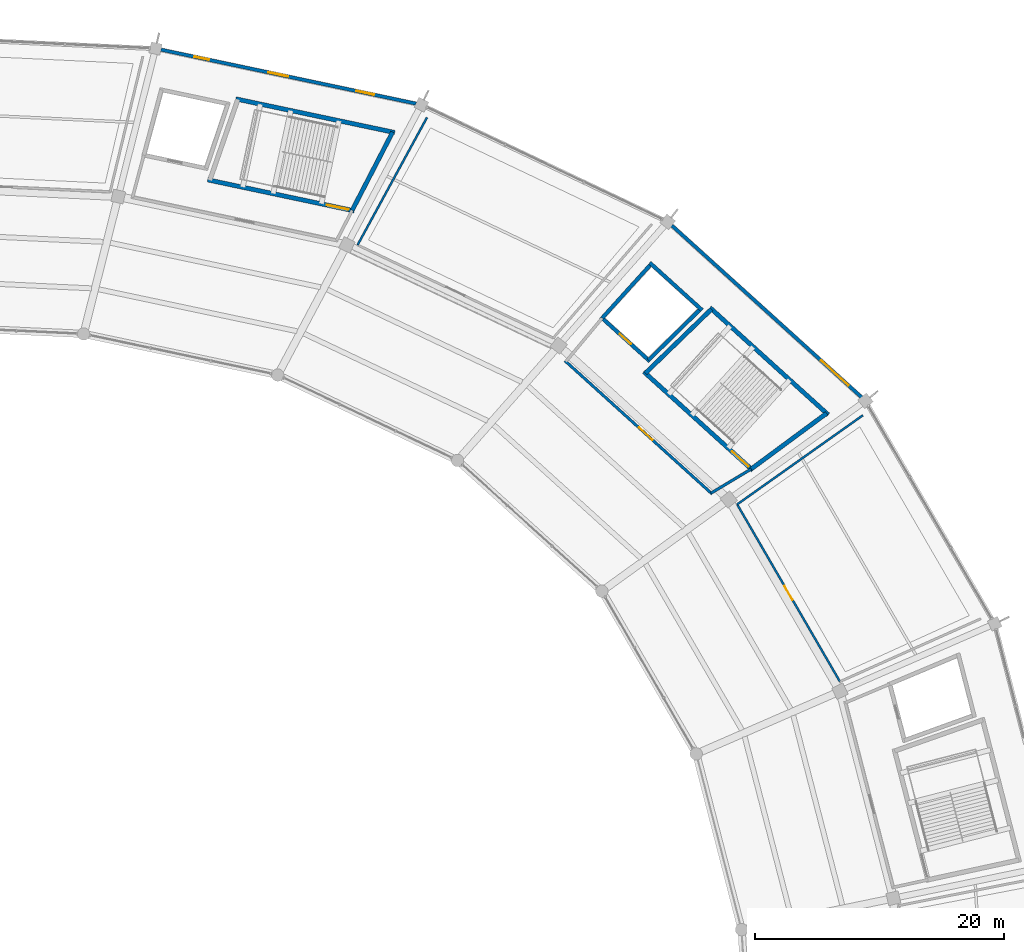
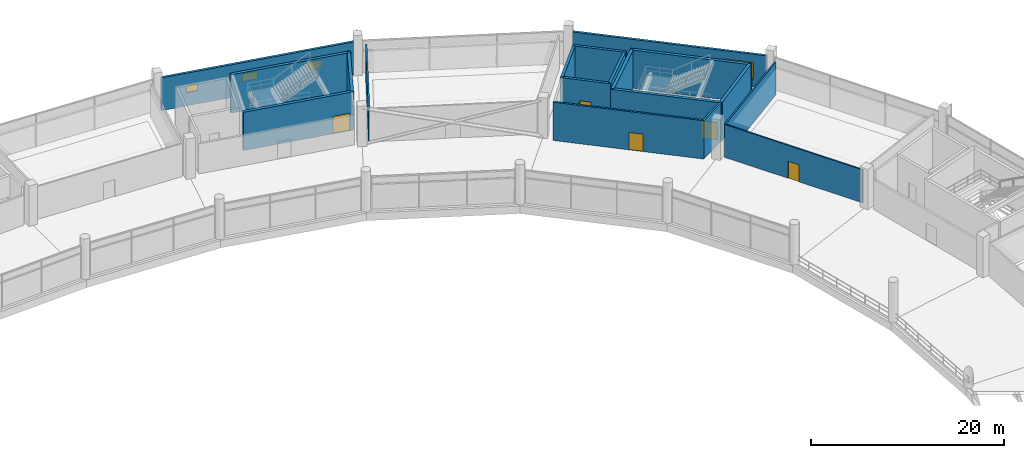
# One storey, part 152 of 184: 18 walls, 5 doors, 4 windows, 9 openings.
"""IFC4 building model written with IfcOpenShell, lengths in metres."""

from ifc_helpers import new_model, si_unit, direction, frame, frame_2d, origin, place, context, subcontext, project, spatial, rectangle, extrude, material, layer, layer_set, type_object, element, fill, save


model = new_model("IFC4")

# Units and contexts
model_context = context("Model", 3, precision=1e-05, world=origin(), true_north=direction((0.0, 1.0)))
body_context = subcontext(model_context, "Body", "Model", "MODEL_VIEW")
ifc_project = project(units=[si_unit("LENGTHUNIT", "METRE"), si_unit("AREAUNIT", "SQUARE_METRE"), si_unit("VOLUMEUNIT", "CUBIC_METRE"), si_unit("PLANEANGLEUNIT", "RADIAN"), si_unit("MASSUNIT", "GRAM", prefix="KILO")], contexts=[model_context])

# Site, building, storey
site_placement = place(None, origin())
site = spatial("IfcSite", under=ifc_project, at=site_placement, CompositionType="ELEMENT")
building_placement = place(site_placement, origin())
building = spatial("IfcBuilding", under=site, at=building_placement, Name="Kazemori Nagisa Stadium", CompositionType="ELEMENT")
storey_placement = place(building_placement, frame((0.0, 0.0, 10.5400390625)))
storey = spatial("IfcBuildingStorey", under=building, at=storey_placement, Name="L02", CompositionType="ELEMENT", Elevation=10.5400390625)

# Wall, opening, door
ifc_material_1 = material(Name="Concrete C40/50 (Fc42)", Category="concrete")
ifc_layer_1 = layer(ifc_material_1, 0.35009765625, Name="Concrete C40/50 (Fc42)", Category="concrete")
ifc_layer_set_1 = layer_set([ifc_layer_1], Name="Concrete C40/50 (Fc42)")
wall_type_1 = type_object("IfcWallType", Name="Wall_W-CORE-350", PredefinedType="SHEAR", material=ifc_layer_set_1)
wall_1_placement = place(storey_placement, frame((192.438720703125, 153.072021484375, 0.0), z_axis=(0.0, 0.0, 1.0), x_axis=(-0.741358227035, 0.671109513572, 0.0)))
wall_1 = element("IfcWall", 1, at=wall_1_placement, inside=storey, type_object=wall_type_1, Name="Core stair front shear wall ST01 L02", PredefinedType="SHEAR", context=body_context, shape_type="SweptSolid", body=[
    extrude(rectangle(XDim=11.82666015625, YDim=0.35009765625, at=frame_2d((5.913330078125, 0.0))), origin(), (0.0, 0.0, 1.0), 4.83984375),
])
opening_1_placement = place(wall_1_placement, frame((0.47509765625, 0.0, 0.0)))
opening_1 = element("IfcOpeningElement", 2, at=opening_1_placement, cuts=wall_1, Name="Opening D-ST-1800", PredefinedType="OPENING", context=body_context, shape_type="SweptSolid", body=[
    extrude(rectangle(XDim=1.800048828125, YDim=2.199951171875, at=frame_2d((0.89990234375, 1.10009765625))), frame((0.0, 0.18505859375, 0.0), z_axis=(0.0, -1.0, 0.0), x_axis=(1.0, 0.0, 0.0)), (0.0, 0.0, 1.0), 0.3701171875),
])
ifc_material_2 = material(Name="Galvanised steel sheet", Category="steel")
door_type_1 = type_object("IfcDoorType", Name="Door_D-ST-1800", OperationType="NOTDEFINED", PredefinedType="DOOR", material=ifc_material_2)
door_1_placement = place(opening_1_placement, frame((1.800048828125, 0.0, 0.0), z_axis=(0.0, 0.0, 1.0), x_axis=(-1.0, 0.0, 0.0)))
door_1 = element("IfcDoor", 3, at=door_1_placement, inside=storey, type_object=door_type_1, Name="Exit stair fire door ST01-L02", OperationType="SINGLE_SWING_RIGHT", OverallHeight=2.199951171875, OverallWidth=1.800048828125, PredefinedType="DOOR", context=body_context, shape_type="SweptSolid", body=[
    extrude(rectangle(XDim=1.800048828125, YDim=2.199951171875, at=frame_2d((0.89990234375, 1.10009765625))), frame((0.0, 0.02490234375, 0.0), z_axis=(0.0, -1.0, 0.0), x_axis=(1.0, 0.0, 0.0)), (0.0, 0.0, 1.0), 0.050048828125),
])
fill(opening_1, door_1)

# Walls
wall_2_placement = place(storey_placement, frame((198.499267578125, 157.548095703125, 0.0), z_axis=(0.0, 0.0, 1.0), x_axis=(-0.741351373721, 0.671117084183, 0.0)))
element("IfcWall", 4, at=wall_2_placement, inside=storey, type_object=wall_type_1, Name="Core stair rear shear wall ST01 L02", PredefinedType="SHEAR", context=body_context, shape_type="SweptSolid", body=[
    extrude(rectangle(XDim=12.830322265625, YDim=0.35009765625, at=frame_2d((6.4150390625, 0.0))), origin(), (0.0, 0.0, 1.0), 4.83984375),
])
wall_3_placement = place(storey_placement, frame((192.308837890625, 153.189453125, 0.0), z_axis=(0.0, 0.0, 1.0), x_axis=(0.804395625347, 0.594093997548, 0.0)))
element("IfcWall", 5, at=wall_3_placement, inside=storey, type_object=wall_type_1, Name="Core stair left shear wall ST01 L02", PredefinedType="SHEAR", context=body_context, shape_type="SweptSolid", body=[
    extrude(rectangle(XDim=7.5341796875, YDim=0.35009765625, at=frame_2d((3.76708984375, 0.0))), origin(), (0.0, 0.0, 1.0), 4.83984375),
])
wall_4_placement = place(storey_placement, frame((183.800537109375, 160.8916015625, 0.0), z_axis=(0.0, 0.0, 1.0), x_axis=(0.718297398554, 0.69573619083, 0.0)))
element("IfcWall", 6, at=wall_4_placement, inside=storey, type_object=wall_type_1, Name="Core stair right shear wall ST01 L02", PredefinedType="SHEAR", context=body_context, shape_type="SweptSolid", body=[
    extrude(rectangle(XDim=7.40185546875, YDim=0.35009765625, at=frame_2d((3.700927734375, 0.0))), origin(), (0.0, 0.0, 1.0), 4.83984375),
])

# Wall, opening, door
wall_5_placement = place(storey_placement, frame((160.399658203125, 173.939697265625, 0.0), z_axis=(0.0, 0.0, 1.0), x_axis=(-0.978345203961, 0.206979858648, 0.0)))
wall_5 = element("IfcWall", 7, at=wall_5_placement, inside=storey, type_object=wall_type_1, Name="Core stair front shear wall ST11 L02", PredefinedType="SHEAR", context=body_context, shape_type="SweptSolid", body=[
    extrude(rectangle(XDim=12.044189453125, YDim=0.35009765625, at=frame_2d((6.02197265625, 0.0))), origin(), (0.0, 0.0, 1.0), 4.83984375),
])
opening_2_placement = place(wall_5_placement, frame((0.47509765625, 0.0, 0.0)))
opening_2 = element("IfcOpeningElement", 8, at=opening_2_placement, cuts=wall_5, Name="Opening D-ST-1800", PredefinedType="OPENING", context=body_context, shape_type="SweptSolid", body=[
    extrude(rectangle(XDim=1.800048828125, YDim=2.199951171875, at=frame_2d((0.89990234375, 1.10009765625))), frame((0.0, 0.18505859375, 0.0), z_axis=(0.0, -1.0, 0.0), x_axis=(1.0, 0.0, 0.0)), (0.0, 0.0, 1.0), 0.3701171875),
])
door_2_placement = place(opening_2_placement, frame((1.800048828125, 0.0, 0.0), z_axis=(0.0, 0.0, 1.0), x_axis=(-1.0, 0.0, 0.0)))
door_2 = element("IfcDoor", 9, at=door_2_placement, inside=storey, type_object=door_type_1, Name="Exit stair fire door ST11-L02", OperationType="SINGLE_SWING_RIGHT", OverallHeight=2.199951171875, OverallWidth=1.800048828125, PredefinedType="DOOR", context=body_context, shape_type="SweptSolid", body=[
    extrude(rectangle(XDim=1.800048828125, YDim=2.199951171875, at=frame_2d((0.89990234375, 1.10009765625))), frame((0.0, 0.02490234375, 0.0), z_axis=(0.0, -1.0, 0.0), x_axis=(1.0, 0.0, 0.0)), (0.0, 0.0, 1.0), 0.050048828125),
])
fill(opening_2, door_2)

# Walls
wall_6_placement = place(storey_placement, frame((163.655029296875, 180.2333984375, 0.0), z_axis=(0.0, 0.0, 1.0), x_axis=(-0.978345119536, 0.206980257705, 0.0)))
element("IfcWall", 10, at=wall_6_placement, inside=storey, type_object=wall_type_1, Name="Core stair rear shear wall ST11 L02", PredefinedType="SHEAR", context=body_context, shape_type="SweptSolid", body=[
    extrude(rectangle(XDim=13.06689453125, YDim=0.35009765625, at=frame_2d((6.533447265625, 0.0))), origin(), (0.0, 0.0, 1.0), 4.83984375),
])
wall_7_placement = place(storey_placement, frame((160.228515625, 173.975830078125, 0.0), z_axis=(0.0, 0.0, 1.0), x_axis=(0.459409796564, 0.888224430435, 0.0)))
element("IfcWall", 11, at=wall_7_placement, inside=storey, type_object=wall_type_1, Name="Core stair left shear wall ST11 L02", PredefinedType="SHEAR", context=body_context, shape_type="SweptSolid", body=[
    extrude(rectangle(XDim=7.0859375, YDim=0.35009765625, at=frame_2d((3.54296875, 0.0))), origin(), (0.0, 0.0, 1.0), 4.83984375),
])

# Wall, opening, window
ifc_material_3 = material(Name="Concrete C40/50 (Fc42) precast", Category="concrete")
ifc_layer_2 = layer(ifc_material_3, 0.27490234375, Name="Concrete C40/50 (Fc42) precast", Category="concrete")
ifc_layer_set_2 = layer_set([ifc_layer_2], Name="Concrete C40/50 (Fc42) precast")
wall_type_2 = type_object("IfcWallType", Name="Wall_W-EXT-275", PredefinedType="SOLIDWALL", material=ifc_layer_set_2)
wall_8_placement = place(storey_placement, frame((201.169189453125, 158.962890625, 0.0), z_axis=(0.0, 0.0, 1.0), x_axis=(-0.741352367697, 0.671115986183, 0.0)))
wall_8 = element("IfcWall", 12, at=wall_8_placement, inside=storey, type_object=wall_type_2, Name="Exterior facade wall L02-04", PredefinedType="SOLIDWALL", context=body_context, shape_type="SweptSolid", body=[
    extrude(rectangle(XDim=20.56396484375, YDim=0.27490234375, at=frame_2d((10.281982421875, 0.0))), origin(), (0.0, 0.0, 1.0), 4.137939453125),
])
opening_3_placement = place(wall_8_placement, frame((1.39990234375, 0.0, 1.0)))
opening_3 = element("IfcOpeningElement", 13, at=opening_3_placement, cuts=wall_8, Name="Opening WIN-L02-3000", PredefinedType="OPENING", context=body_context, shape_type="SweptSolid", body=[
    extrude(rectangle(XDim=3.0, YDim=2.10009765625, at=frame_2d((1.5, 1.050048828125))), frame((0.0, 0.1474609375, 0.0), z_axis=(0.0, -1.0, 0.0), x_axis=(1.0, 0.0, 0.0)), (0.0, 0.0, 1.0), 0.294921875),
])
ifc_material_4 = material(Name="Low-e laminated double glazing", Category="glass")
window_type_1 = type_object("IfcWindowType", Name="Window_WIN-L02-3000", PartitioningType="SINGLE_PANEL", PredefinedType="WINDOW", material=ifc_material_4)
window_1_placement = place(opening_3_placement, origin())
window_1 = element("IfcWindow", 14, at=window_1_placement, inside=storey, type_object=window_type_1, Name="Core lobby window L02-04", OverallHeight=2.10009765625, OverallWidth=3.0, PartitioningType="SINGLE_PANEL", PredefinedType="WINDOW", context=body_context, shape_type="SweptSolid", body=[
    extrude(rectangle(XDim=3.0, YDim=2.10009765625, at=frame_2d((1.5, 1.050048828125))), frame((0.0, 0.030029296875, 0.0), z_axis=(0.0, -1.0, 0.0), x_axis=(1.0, 0.0, 0.0)), (0.0, 0.0, 1.0), 0.06005859375),
])
fill(opening_3, window_1)

# Wall, openings, windows
wall_9_placement = place(storey_placement, frame((165.374267578125, 182.555419921875, 0.0), z_axis=(0.0, 0.0, 1.0), x_axis=(-0.978345985679, 0.206976163617, 0.0)))
wall_9 = element("IfcWall", 15, at=wall_9_placement, inside=storey, type_object=wall_type_2, Name="Exterior facade wall L02-06", PredefinedType="SOLIDWALL", context=body_context, shape_type="SweptSolid", body=[
    extrude(rectangle(XDim=20.97021484375, YDim=0.27490234375, at=frame_2d((10.485107421875, 0.0))), origin(), (0.0, 0.0, 1.0), 4.137939453125),
])
opening_4_placement = place(wall_9_placement, frame((3.468994140625, 0.0, 1.64990234375)))
opening_4 = element("IfcOpeningElement", 16, at=opening_4_placement, cuts=wall_9, Name="Opening WIN-WC-1450", PredefinedType="OPENING", context=body_context, shape_type="SweptSolid", body=[
    extrude(rectangle(XDim=1.449951171875, YDim=0.949951171875, at=frame_2d((0.72509765625, 0.47509765625))), frame((0.0, 0.1474609375, 0.0), z_axis=(0.0, -1.0, 0.0), x_axis=(1.0, 0.0, 0.0)), (0.0, 0.0, 1.0), 0.294921875),
])
opening_5_placement = place(wall_9_placement, frame((10.4990234375, 0.0, 1.64990234375)))
opening_5 = element("IfcOpeningElement", 17, at=opening_5_placement, cuts=wall_9, Name="Opening WIN-WC-1650", PredefinedType="OPENING", context=body_context, shape_type="SweptSolid", body=[
    extrude(rectangle(XDim=1.64990234375, YDim=1.0, at=frame_2d((0.824951171875, 0.5))), frame((0.0, 0.1474609375, 0.0), z_axis=(0.0, -1.0, 0.0), x_axis=(1.0, 0.0, 0.0)), (0.0, 0.0, 1.0), 0.294921875),
])
opening_6_placement = place(wall_9_placement, frame((17.014892578125, 0.0, 1.64990234375)))
opening_6 = element("IfcOpeningElement", 18, at=opening_6_placement, cuts=wall_9, Name="Opening WIN-WC-1200", PredefinedType="OPENING", context=body_context, shape_type="SweptSolid", body=[
    extrude(rectangle(XDim=1.199951171875, YDim=0.89990234375, at=frame_2d((0.60009765625, 0.449951171875))), frame((0.0, 0.1474609375, 0.0), z_axis=(0.0, -1.0, 0.0), x_axis=(1.0, 0.0, 0.0)), (0.0, 0.0, 1.0), 0.294921875),
])
window_type_2 = type_object("IfcWindowType", Name="Window_WIN-WC-1200", PartitioningType="SINGLE_PANEL", PredefinedType="WINDOW", material=ifc_material_4)
window_2_placement = place(opening_6_placement, origin())
window_2 = element("IfcWindow", 19, at=window_2_placement, inside=storey, type_object=window_type_2, Name="Sanitary clerestory window L02-06-3", OverallHeight=0.89990234375, OverallWidth=1.199951171875, PartitioningType="SINGLE_PANEL", PredefinedType="WINDOW", context=body_context, shape_type="SweptSolid", body=[
    extrude(rectangle(XDim=1.199951171875, YDim=0.89990234375, at=frame_2d((0.60009765625, 0.449951171875))), frame((0.0, 0.030029296875, 0.0), z_axis=(0.0, -1.0, 0.0), x_axis=(1.0, 0.0, 0.0)), (0.0, 0.0, 1.0), 0.06005859375),
])
fill(opening_6, window_2)
window_type_3 = type_object("IfcWindowType", Name="Window_WIN-WC-1450", PartitioningType="SINGLE_PANEL", PredefinedType="WINDOW", material=ifc_material_4)
window_3_placement = place(opening_4_placement, origin())
window_3 = element("IfcWindow", 20, at=window_3_placement, inside=storey, type_object=window_type_3, Name="Sanitary clerestory window L02-06-1", OverallHeight=0.949951171875, OverallWidth=1.449951171875, PartitioningType="SINGLE_PANEL", PredefinedType="WINDOW", context=body_context, shape_type="SweptSolid", body=[
    extrude(rectangle(XDim=1.449951171875, YDim=0.949951171875, at=frame_2d((0.72509765625, 0.47509765625))), frame((0.0, 0.030029296875, 0.0), z_axis=(0.0, -1.0, 0.0), x_axis=(1.0, 0.0, 0.0)), (0.0, 0.0, 1.0), 0.06005859375),
])
fill(opening_4, window_3)
window_type_4 = type_object("IfcWindowType", Name="Window_WIN-WC-1650", PartitioningType="SINGLE_PANEL", PredefinedType="WINDOW", material=ifc_material_4)
window_4_placement = place(opening_5_placement, origin())
window_4 = element("IfcWindow", 21, at=window_4_placement, inside=storey, type_object=window_type_4, Name="Sanitary clerestory window L02-06-2", OverallHeight=1.0, OverallWidth=1.64990234375, PartitioningType="SINGLE_PANEL", PredefinedType="WINDOW", context=body_context, shape_type="SweptSolid", body=[
    extrude(rectangle(XDim=1.64990234375, YDim=1.0, at=frame_2d((0.824951171875, 0.5))), frame((0.0, 0.030029296875, 0.0), z_axis=(0.0, -1.0, 0.0), x_axis=(1.0, 0.0, 0.0)), (0.0, 0.0, 1.0), 0.06005859375),
])
fill(opening_5, window_4)

# Wall, opening, door
ifc_material_5 = material(Name="Concrete C36/45 (Fc36)", Category="concrete")
ifc_layer_3 = layer(ifc_material_5, 0.219970703125, Name="Concrete C36/45 (Fc36)", Category="concrete")
ifc_layer_set_3 = layer_set([ifc_layer_3], Name="Concrete C36/45 (Fc36)")
wall_type_3 = type_object("IfcWallType", Name="Wall_W-LOBBY-220", PredefinedType="SOLIDWALL", material=ifc_layer_set_3)
wall_10_placement = place(storey_placement, frame((189.166259765625, 151.1806640625, 0.0), z_axis=(0.0, 0.0, 1.0), x_axis=(-0.741351035574, 0.671117457717, 0.0)))
wall_10 = element("IfcWall", 22, at=wall_10_placement, inside=storey, type_object=wall_type_3, Name="Core lobby fire wall ST01 L02", PredefinedType="SOLIDWALL", context=body_context, shape_type="SweptSolid", body=[
    extrude(rectangle(XDim=15.96923828125, YDim=0.219970703125, at=frame_2d((7.984619140625, 0.0))), origin(), (0.0, 0.0, 1.0), 4.83984375),
])
opening_7_placement = place(wall_10_placement, frame((6.447021484375, 0.0, 0.0)))
opening_7 = element("IfcOpeningElement", 23, at=opening_7_placement, cuts=wall_10, Name="Opening D-FFL-1500", PredefinedType="OPENING", context=body_context, shape_type="SweptSolid", body=[
    extrude(rectangle(XDim=1.5, YDim=2.199951171875, at=frame_2d((0.75, 1.10009765625))), frame((0.0, 0.119873046875, 0.0), z_axis=(0.0, -1.0, 0.0), x_axis=(1.0, 0.0, 0.0)), (0.0, 0.0, 1.0), 0.239990234375),
])
door_type_2 = type_object("IfcDoorType", Name="Door_D-FFL-1500", OperationType="NOTDEFINED", PredefinedType="DOOR", material=ifc_material_2)
door_3_placement = place(opening_7_placement, frame((1.5, 0.0, 0.0), z_axis=(0.0, 0.0, 1.0), x_axis=(-1.0, 0.0, 0.0)))
door_3 = element("IfcDoor", 24, at=door_3_placement, inside=storey, type_object=door_type_2, Name="Protected lobby fire door ST01-L02", OperationType="DOUBLE_DOOR_SINGLE_SWING", OverallHeight=2.199951171875, OverallWidth=1.5, PredefinedType="DOOR", context=body_context, shape_type="SweptSolid", body=[
    extrude(rectangle(XDim=1.5, YDim=2.199951171875, at=frame_2d((0.75, 1.10009765625))), frame((0.0, 0.02490234375, 0.0), z_axis=(0.0, -1.0, 0.0), x_axis=(1.0, 0.0, 0.0)), (0.0, 0.0, 1.0), 0.050048828125),
])
fill(opening_7, door_3)

# Wall
wall_11_placement = place(storey_placement, frame((189.084716796875, 151.25439453125, 0.0), z_axis=(0.0, 0.0, 1.0), x_axis=(0.857424171966, 0.514610327654, 0.0)))
element("IfcWall", 25, at=wall_11_placement, inside=storey, type_object=wall_type_3, Name="Core lobby left wall ST01 L02", PredefinedType="SOLIDWALL", context=body_context, shape_type="SweptSolid", body=[
    extrude(rectangle(XDim=3.76025390625, YDim=0.219970703125, at=frame_2d((1.880126953125, 0.0))), origin(), (0.0, 0.0, 1.0), 4.83984375),
])

# Wall, opening, door
ifc_material_6 = material(Name="Gypsum plasterboard", Category="gypsum")
ifc_layer_4 = layer(ifc_material_6, 0.1650390625, Name="Gypsum plasterboard", Category="gypsum")
ifc_layer_set_4 = layer_set([ifc_layer_4], Name="Gypsum plasterboard")
wall_type_4 = type_object("IfcWallType", Name="Wall_W-PART-165", PredefinedType="PARTITIONING", material=ifc_layer_set_4)
wall_12_placement = place(storey_placement, frame((199.4375, 136.098876953125, 0.0), z_axis=(0.0, 0.0, 1.0), x_axis=(-0.501617777052, 0.865089362867, 0.0)))
wall_12 = element("IfcWall", 26, at=wall_12_placement, inside=storey, type_object=wall_type_4, Name="Room corridor partition L02-B03", PredefinedType="PARTITIONING", context=body_context, shape_type="SweptSolid", body=[
    extrude(rectangle(XDim=16.4638671875, YDim=0.1650390625, at=frame_2d((8.23193359375, 0.0))), origin(), (0.0, 0.0, 1.0), 4.159912109375),
])
opening_8_placement = place(wall_12_placement, frame((7.58203125, 0.0, 0.0)))
opening_8 = element("IfcOpeningElement", 27, at=opening_8_placement, cuts=wall_12, Name="Opening D-KIT-1300", PredefinedType="OPENING", context=body_context, shape_type="SweptSolid", body=[
    extrude(rectangle(XDim=1.300048828125, YDim=2.14990234375, at=frame_2d((0.64990234375, 1.074951171875))), frame((0.0, 0.092529296875, 0.0), z_axis=(0.0, -1.0, 0.0), x_axis=(1.0, 0.0, 0.0)), (0.0, 0.0, 1.0), 0.18505859375),
])
ifc_material_7 = material(Name="Stainless steel SUS304", Category="steel")
door_type_3 = type_object("IfcDoorType", Name="Door_D-KIT-1300", OperationType="NOTDEFINED", PredefinedType="DOOR", material=ifc_material_7)
door_4_placement = place(opening_8_placement, origin())
door_4 = element("IfcDoor", 28, at=door_4_placement, inside=storey, type_object=door_type_3, Name="Room entrance door D-KIT-1300 L02-B03", OperationType="SINGLE_SWING_LEFT", OverallHeight=2.14990234375, OverallWidth=1.300048828125, PredefinedType="DOOR", context=body_context, shape_type="SweptSolid", body=[
    extrude(rectangle(XDim=1.300048828125, YDim=2.14990234375, at=frame_2d((0.64990234375, 1.074951171875))), frame((0.0, 0.02490234375, 0.0), z_axis=(0.0, -1.0, 0.0), x_axis=(1.0, 0.0, 0.0)), (0.0, 0.0, 1.0), 0.050048828125),
])
fill(opening_8, door_4)

# Walls
wall_13_placement = place(storey_placement, frame((191.178955078125, 150.341552734375, 0.0), z_axis=(0.0, 0.0, 1.0), x_axis=(0.815753527099, 0.578399674122, 0.0)))
element("IfcWall", 29, at=wall_13_placement, inside=storey, type_object=wall_type_4, Name="Room radial partition L02-B03-R", PredefinedType="PARTITIONING", context=body_context, shape_type="SweptSolid", body=[
    extrude(rectangle(XDim=12.38232421875, YDim=0.1650390625, at=frame_2d((6.191162109375, 0.0))), origin(), (0.0, 0.0, 1.0), 4.159912109375),
])
wall_14_placement = place(storey_placement, frame((160.667236328125, 171.196044921875, 0.0), z_axis=(0.0, 0.0, 1.0), x_axis=(0.478125060974, 0.878291765912, 0.0)))
element("IfcWall", 30, at=wall_14_placement, inside=storey, type_object=wall_type_4, Name="Room radial partition L02-B05-R", PredefinedType="PARTITIONING", context=body_context, shape_type="SweptSolid", body=[
    extrude(rectangle(XDim=11.671875, YDim=0.1650390625, at=frame_2d((5.8359375, 0.0))), origin(), (0.0, 0.0, 1.0), 4.159912109375),
])

# Wall, opening, door
ifc_layer_5 = layer(ifc_material_1, 0.300048828125, Name="Concrete C40/50 (Fc42)", Category="concrete")
ifc_layer_set_5 = layer_set([ifc_layer_5], Name="Concrete C40/50 (Fc42)")
wall_type_5 = type_object("IfcWallType", Name="Wall_W-SHAFT-300", PredefinedType="SHEAR", material=ifc_layer_set_5)
wall_15_placement = place(storey_placement, frame((184.1630859375, 161.840576171875, 0.0), z_axis=(0.0, 0.0, 1.0), x_axis=(-0.741350155641, 0.671118429736, 0.0)))
wall_15 = element("IfcWall", 31, at=wall_15_placement, inside=storey, type_object=wall_type_5, Name="Lift shaft front wall FL1 L02", PredefinedType="SHEAR", context=body_context, shape_type="SweptSolid", body=[
    extrude(rectangle(XDim=5.3291015625, YDim=0.300048828125, at=frame_2d((2.66455078125, 0.0))), origin(), (0.0, 0.0, 1.0), 4.83984375),
])
opening_9_placement = place(wall_15_placement, frame((2.06494140625, 0.0, 0.0)))
opening_9 = element("IfcOpeningElement", 32, at=opening_9_placement, cuts=wall_15, Name="Opening LD-FF", PredefinedType="OPENING", context=body_context, shape_type="SweptSolid", body=[
    extrude(rectangle(XDim=1.199951171875, YDim=2.199951171875, at=frame_2d((0.60009765625, 1.10009765625))), frame((0.0, 0.159912109375, 0.0), z_axis=(0.0, -1.0, 0.0), x_axis=(1.0, 0.0, 0.0)), (0.0, 0.0, 1.0), 0.320068359375),
])
door_type_4 = type_object("IfcDoorType", Name="Door_LD-FF", OperationType="SLIDING_TO_LEFT", PredefinedType="DOOR", material=ifc_material_7)
door_5_placement = place(opening_9_placement, origin())
door_5 = element("IfcDoor", 33, at=door_5_placement, inside=storey, type_object=door_type_4, Name="Lift landing door FL1-L02", OperationType="SLIDING_TO_LEFT", OverallHeight=2.199951171875, OverallWidth=1.199951171875, PredefinedType="DOOR", context=body_context, shape_type="SweptSolid", body=[
    extrude(rectangle(XDim=1.199951171875, YDim=2.199951171875, at=frame_2d((0.60009765625, 1.10009765625))), frame((0.0, 0.02490234375, 0.0), z_axis=(0.0, -1.0, 0.0), x_axis=(1.0, 0.0, 0.0)), (0.0, 0.0, 1.0), 0.050048828125),
])
fill(opening_9, door_5)

# Walls
wall_16_placement = place(storey_placement, frame((188.359619140625, 165.960693359375, 0.0), z_axis=(0.0, 0.0, 1.0), x_axis=(-0.74134208775, 0.671127341815, 0.0)))
element("IfcWall", 34, at=wall_16_placement, inside=storey, type_object=wall_type_5, Name="Lift shaft B wall FL1 L02", PredefinedType="SHEAR", context=body_context, shape_type="SweptSolid", body=[
    extrude(rectangle(XDim=5.674560546875, YDim=0.300048828125, at=frame_2d((2.83740234375, 0.0))), origin(), (0.0, 0.0, 1.0), 4.83984375),
])
wall_17_placement = place(storey_placement, frame((184.052001953125, 161.941162109375, 0.0), z_axis=(0.0, 0.0, 1.0), x_axis=(0.713553028001, 0.700601224828, 0.0)))
element("IfcWall", 35, at=wall_17_placement, inside=storey, type_object=wall_type_5, Name="Lift shaft L wall FL1 L02", PredefinedType="SHEAR", context=body_context, shape_type="SweptSolid", body=[
    extrude(rectangle(XDim=5.881103515625, YDim=0.300048828125, at=frame_2d((2.9404296875, 0.0))), origin(), (0.0, 0.0, 1.0), 4.83984375),
])
wall_18_placement = place(storey_placement, frame((180.32373046875, 165.31640625, 0.0), z_axis=(0.0, 0.0, 1.0), x_axis=(0.67115829282, 0.741314067031, 0.0)))
element("IfcWall", 36, at=wall_18_placement, inside=storey, type_object=wall_type_5, Name="Lift shaft R wall FL1 L02", PredefinedType="SHEAR", context=body_context, shape_type="SweptSolid", body=[
    extrude(rectangle(XDim=5.87060546875, YDim=0.300048828125, at=frame_2d((2.935302734375, 0.0))), origin(), (0.0, 0.0, 1.0), 4.83984375),
])

save(model, "model.ifc")
